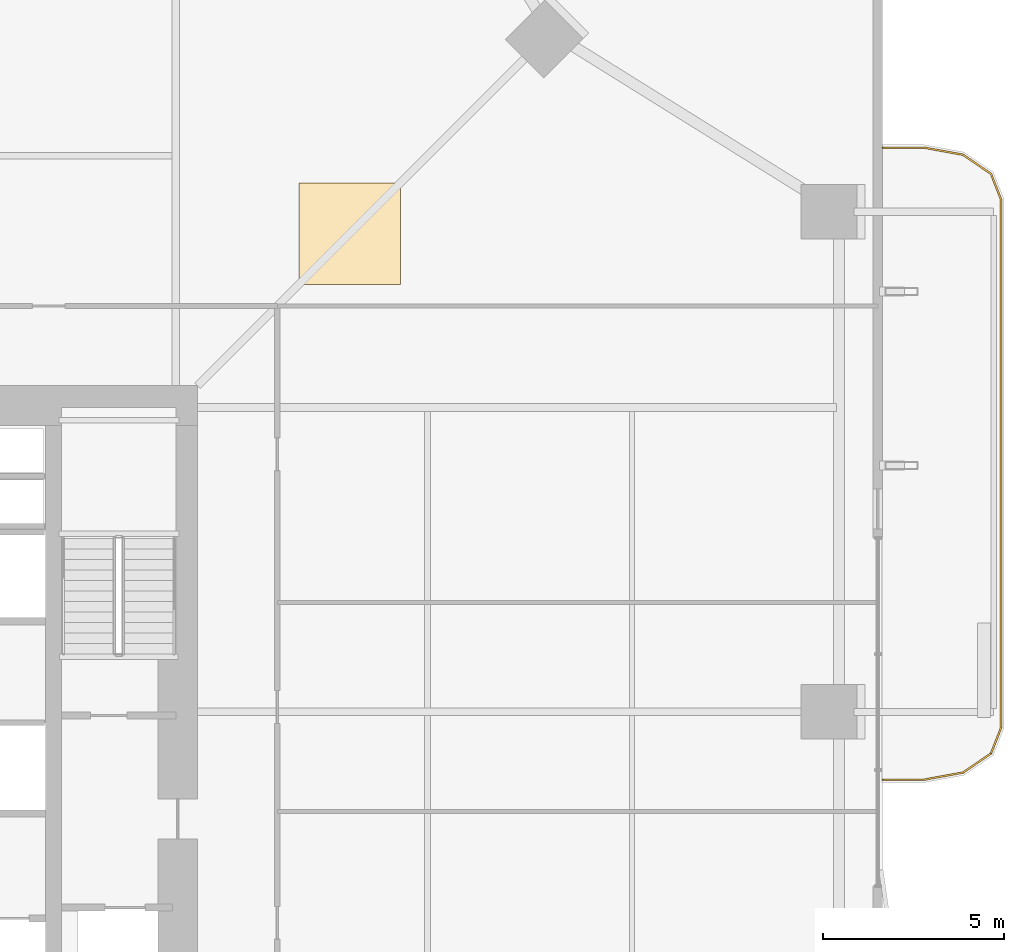
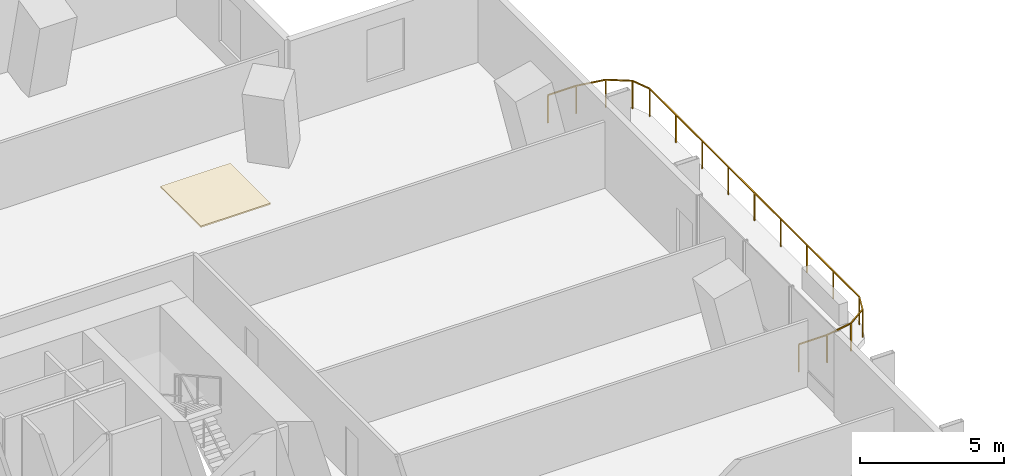
# One storey, part 24 of 24: 1 covering, 1 railing.
"""IFC4 building model written with IfcOpenShell, lengths in metres."""

from ifc_helpers import new_model, si_unit, direction, frame, origin, origin_2d, place, context, subcontext, project, spatial, polyline, rectangle, outline, extrude, material, layer, layer_set, type_object, element, save


model = new_model("IFC4")

# Units and contexts
model_context = context("Model", 3, precision=1e-05, world=origin(), true_north=direction((0.0, 1.0)))
body_context = subcontext(model_context, "Body", "Model", "MODEL_VIEW")
ifc_project = project(units=[si_unit("LENGTHUNIT", "METRE"), si_unit("AREAUNIT", "SQUARE_METRE"), si_unit("VOLUMEUNIT", "CUBIC_METRE"), si_unit("PLANEANGLEUNIT", "RADIAN"), si_unit("MASSUNIT", "GRAM", prefix="KILO")], contexts=[model_context])

# Site, building, storey
site_placement = place(None, origin())
site = spatial("IfcSite", under=ifc_project, at=site_placement, CompositionType="ELEMENT")
building_placement = place(site_placement, origin())
building = spatial("IfcBuilding", under=site, at=building_placement, Name="Belovzor Exchange Tower", CompositionType="ELEMENT")
storey_placement = place(building_placement, frame((0.0, 0.0, 104.10009765625)))
storey = spatial("IfcBuildingStorey", under=building, at=storey_placement, Name="L25", CompositionType="ELEMENT", Elevation=104.10009765625)

# Railing
ifc_material_1 = material(Name="Stainless Steel and Laminated Safety Glass", Category="steel")
railing_type = type_object("IfcRailingType", Name="Laminated Glass & Stainless Steel Balcony Balustrade 1200", PredefinedType="BALUSTRADE", material=ifc_material_1)
railing_placement = place(storey_placement, frame((56.7099609375, 26.929931640625, 0.0)))
element("IfcRailing", 1, at=railing_placement, inside=storey, type_object=railing_type, Name="GR-1 Balcony Balustrade L25 East", PredefinedType="BALUSTRADE", context=body_context, shape_type="SweptSolid", body=[
    extrude(rectangle(XDim=0.048095703125, YDim=0.048095703125, at=origin_2d()), frame((0.0, 0.0, 1.17578125), z_axis=(1.0, 0.0, 0.0), x_axis=(0.0, 1.0, 0.0)), (0.0, 0.0, 1.0), 1.133056640625),
    extrude(rectangle(XDim=0.048095703125, YDim=0.048095703125, at=origin_2d()), frame((1.133056640625, 0.0, 1.17578125), z_axis=(0.983644145941, 0.180122719713, 0.0), x_axis=(-0.180122719713, 0.983644145941, 0.0)), (0.0, 0.0, 1.0), 1.09375),
    extrude(rectangle(XDim=0.048095703125, YDim=0.048095703125, at=origin_2d()), frame((2.208984375, 0.197021484375, 1.17578125), z_axis=(0.826493025367, 0.56294695933, 0.0), x_axis=(-0.56294695933, 0.826493025367, 0.0)), (0.0, 0.0, 1.0), 0.932861328125),
    extrude(rectangle(XDim=0.048095703125, YDim=0.048095703125, at=origin_2d()), frame((2.97998046875, 0.72216796875, 1.17578125), z_axis=(0.365612923861, 0.930766990125, 0.0), x_axis=(-0.930766990125, 0.365612923861, 0.0)), (0.0, 0.0, 1.0), 0.765869140625),
    extrude(rectangle(XDim=0.048095703125, YDim=0.048095703125, at=origin_2d()), frame((3.260009765625, 1.43505859375, 1.17578125), z_axis=(0.0, 1.0, 0.0), x_axis=(-1.0, 0.0, 0.0)), (0.0, 0.0, 1.0), 14.570068359375),
    extrude(rectangle(XDim=0.048095703125, YDim=0.048095703125, at=origin_2d()), frame((3.260009765625, 16.005126953125, 1.17578125), z_axis=(-0.365612923861, 0.930766990125, 0.0), x_axis=(-0.930766990125, -0.365612923861, 0.0)), (0.0, 0.0, 1.0), 0.765869140625),
    extrude(rectangle(XDim=0.048095703125, YDim=0.048095703125, at=origin_2d()), frame((2.97998046875, 16.718017578125, 1.17578125), z_axis=(-0.826493025367, 0.56294695933, 0.0), x_axis=(-0.56294695933, -0.826493025367, 0.0)), (0.0, 0.0, 1.0), 0.932861328125),
    extrude(rectangle(XDim=0.048095703125, YDim=0.048095703125, at=origin_2d()), frame((2.208984375, 17.2431640625, 1.17578125), z_axis=(-0.983644145941, 0.180122719713, 0.0), x_axis=(-0.180122719713, -0.983644145941, 0.0)), (0.0, 0.0, 1.0), 1.09375),
    extrude(rectangle(XDim=0.048095703125, YDim=0.048095703125, at=origin_2d()), frame((1.133056640625, 17.440185546875, 1.17578125), z_axis=(-1.0, 0.0, 0.0), x_axis=(0.0, -1.0, 0.0)), (0.0, 0.0, 1.0), 1.133056640625),
    extrude(rectangle(XDim=0.0419921875, YDim=0.0419921875, at=origin_2d()), origin(), (0.0, 0.0, 1.0), 1.15185546875),
    extrude(rectangle(XDim=0.0419921875, YDim=0.0419921875, at=origin_2d()), frame((1.133056640625, 0.0, 0.0)), (0.0, 0.0, 1.0), 1.15185546875),
    extrude(rectangle(XDim=0.0419921875, YDim=0.0419921875, at=origin_2d()), frame((2.208984375, 0.197021484375, 0.0)), (0.0, 0.0, 1.0), 1.15185546875),
    extrude(rectangle(XDim=0.0419921875, YDim=0.0419921875, at=origin_2d()), frame((2.97998046875, 0.72216796875, 0.0)), (0.0, 0.0, 1.0), 1.15185546875),
    extrude(rectangle(XDim=0.0419921875, YDim=0.0419921875, at=origin_2d()), frame((3.260009765625, 1.43505859375, 0.0)), (0.0, 0.0, 1.0), 1.15185546875),
    extrude(rectangle(XDim=0.0419921875, YDim=0.0419921875, at=origin_2d()), frame((3.260009765625, 3.25634765625, 0.0)), (0.0, 0.0, 1.0), 1.15185546875),
    extrude(rectangle(XDim=0.0419921875, YDim=0.0419921875, at=origin_2d()), frame((3.260009765625, 5.07763671875, 0.0)), (0.0, 0.0, 1.0), 1.15185546875),
    extrude(rectangle(XDim=0.0419921875, YDim=0.0419921875, at=origin_2d()), frame((3.260009765625, 6.89892578125, 0.0)), (0.0, 0.0, 1.0), 1.15185546875),
    extrude(rectangle(XDim=0.0419921875, YDim=0.0419921875, at=origin_2d()), frame((3.260009765625, 8.72021484375, 0.0)), (0.0, 0.0, 1.0), 1.15185546875),
    extrude(rectangle(XDim=0.0419921875, YDim=0.0419921875, at=origin_2d()), frame((3.260009765625, 10.541259765625, 0.0)), (0.0, 0.0, 1.0), 1.15185546875),
    extrude(rectangle(XDim=0.0419921875, YDim=0.0419921875, at=origin_2d()), frame((3.260009765625, 12.362548828125, 0.0)), (0.0, 0.0, 1.0), 1.15185546875),
    extrude(rectangle(XDim=0.0419921875, YDim=0.0419921875, at=origin_2d()), frame((3.260009765625, 14.183837890625, 0.0)), (0.0, 0.0, 1.0), 1.15185546875),
    extrude(rectangle(XDim=0.0419921875, YDim=0.0419921875, at=origin_2d()), frame((3.260009765625, 16.005126953125, 0.0)), (0.0, 0.0, 1.0), 1.15185546875),
    extrude(rectangle(XDim=0.0419921875, YDim=0.0419921875, at=origin_2d()), frame((2.97998046875, 16.718017578125, 0.0)), (0.0, 0.0, 1.0), 1.15185546875),
    extrude(rectangle(XDim=0.0419921875, YDim=0.0419921875, at=origin_2d()), frame((2.208984375, 17.2431640625, 0.0)), (0.0, 0.0, 1.0), 1.15185546875),
    extrude(rectangle(XDim=0.0419921875, YDim=0.0419921875, at=origin_2d()), frame((1.133056640625, 17.440185546875, 0.0)), (0.0, 0.0, 1.0), 1.15185546875),
    extrude(rectangle(XDim=0.0419921875, YDim=0.0419921875, at=origin_2d()), frame((0.0, 17.440185546875, 0.0)), (0.0, 0.0, 1.0), 1.15185546875),
])

# Covering
ifc_material_2 = material(Name="Perforated Powder-Coated Aluminium", Category="aluminium")
ifc_layer = layer(ifc_material_2, 0.06005859375)
ifc_layer_set = layer_set([ifc_layer], Name="Perforated Powder-Coated Aluminium")
covering_type = type_object("IfcCoveringType", Name="Perforated Acoustic Metal Tile Suspended Ceiling 60", PredefinedType="CEILING", material=ifc_layer_set)
covering_placement = place(storey_placement, frame((0.0, 0.0, 3.47998046875)))
element("IfcCovering", 2, at=covering_placement, inside=storey, type_object=covering_type, Name="CLG-AC60 Suspended Ceiling CLG-L25-Z2", PredefinedType="CEILING", context=body_context, shape_type="SweptSolid", body=[
    extrude(outline(polyline([(40.60009765625, 40.60009765625), (43.39990234375, 40.60009765625), (43.39990234375, 43.39990234375), (40.60009765625, 43.39990234375), (40.60009765625, 40.60009765625)])), origin(), (0.0, 0.0, 1.0), 0.059814453125),
])

save(model, "model.ifc")
